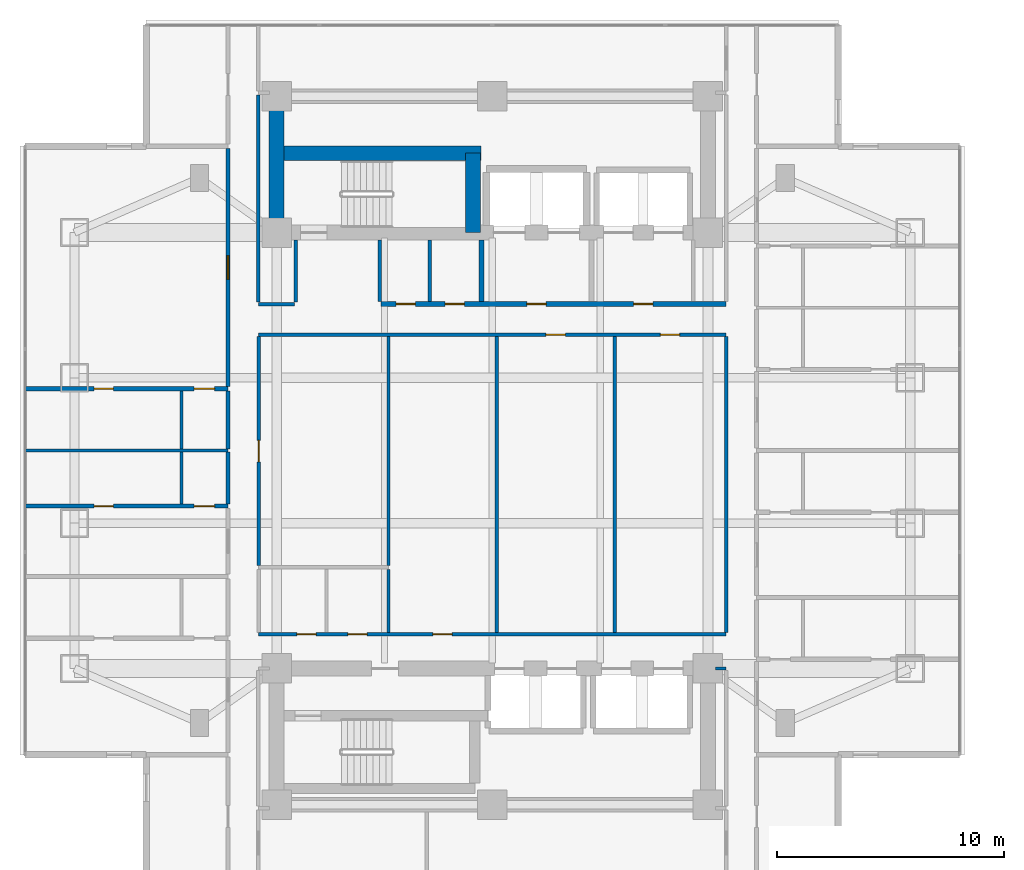
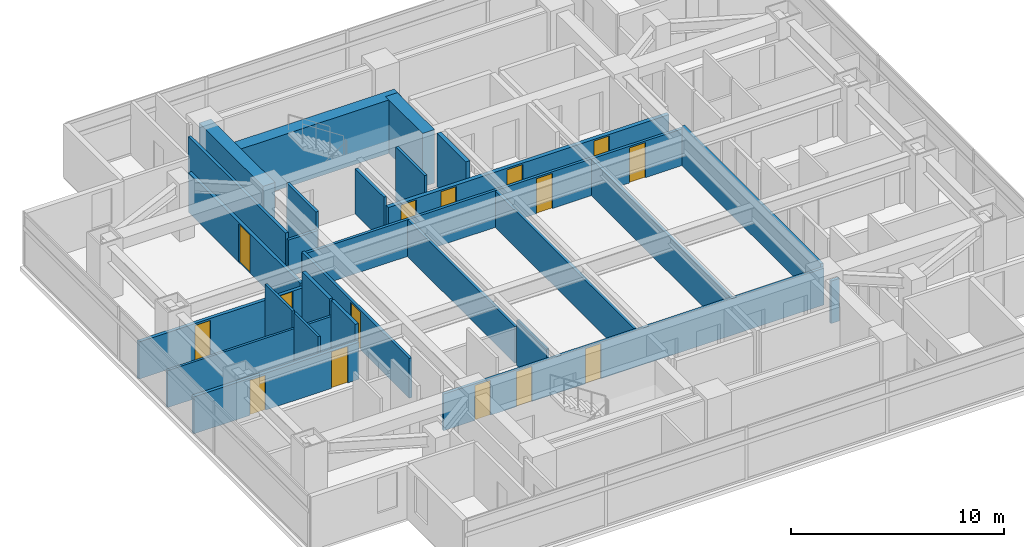
# One storey, part 15 of 27: 27 walls, 15 doors, 15 openings.
"""IFC4 building model written with IfcOpenShell, lengths in metres."""

from ifc_helpers import new_model, si_unit, direction, frame, frame_2d, origin, place, context, subcontext, project, spatial, rectangle, extrude, material, layer, layer_set, type_object, element, fill, save


model = new_model("IFC4")

# Units and contexts
model_context = context("Model", 3, precision=1e-05, world=origin(), true_north=direction((0.0, 1.0)))
body_context = subcontext(model_context, "Body", "Model", "MODEL_VIEW")
ifc_project = project(units=[si_unit("LENGTHUNIT", "METRE"), si_unit("AREAUNIT", "SQUARE_METRE"), si_unit("VOLUMEUNIT", "CUBIC_METRE"), si_unit("PLANEANGLEUNIT", "RADIAN"), si_unit("MASSUNIT", "GRAM", prefix="KILO")], contexts=[model_context])

# Site, building, storey
site_placement = place(None, origin())
site = spatial("IfcSite", under=ifc_project, at=site_placement, CompositionType="ELEMENT")
building_placement = place(site_placement, origin())
building = spatial("IfcBuilding", under=site, at=building_placement, Name="Mirazonda Arch Towers", CompositionType="ELEMENT")
storey_placement = place(building_placement, frame((0.0, 0.0, 52.10009765625)))
storey = spatial("IfcBuildingStorey", under=building, at=storey_placement, Name="L14", CompositionType="ELEMENT", Elevation=52.10009765625)

# Walls
ifc_material_1 = material(Name="Concrete C60/75", Category="concrete")
ifc_layer_1 = layer(ifc_material_1, 0.64990234375, Name="WALL-CORE-650")
ifc_layer_set_1 = layer_set([ifc_layer_1], Name="Concrete C60/75")
wall_type_1 = type_object("IfcWallType", Name="WALL-CORE-650", PredefinedType="SHEAR", material=ifc_layer_set_1)
wall_1_placement = place(storey_placement, frame((11.0, 37.60009765625, 0.0), z_axis=(0.0, 0.0, 1.0), x_axis=(0.0, 1.0, 0.0)))
element("IfcWall", 1, at=wall_1_placement, inside=storey, type_object=wall_type_1, Name="L14 T1N-W Core Shear Wall", PredefinedType="SHEAR", context=body_context, shape_type="SweptSolid", body=[
    extrude(rectangle(XDim=6.0, YDim=0.64990234375, at=frame_2d((3.0, 0.0))), origin(), (0.0, 0.0, 1.0), 3.059814453125),
])
wall_2_placement = place(storey_placement, frame((11.0, 41.093017578125, 0.0), z_axis=(0.0, 0.0, 1.0), x_axis=(1.0, 0.0, 0.0)))
element("IfcWall", 2, at=wall_2_placement, inside=storey, type_object=wall_type_1, Name="L14 T1N-STN Core Shear Wall", PredefinedType="SHEAR", context=body_context, shape_type="SweptSolid", body=[
    extrude(rectangle(XDim=9.0, YDim=0.64990234375, at=frame_2d((4.5, 0.0))), origin(), (0.0, 0.0, 1.0), 3.059814453125),
])
wall_3_placement = place(storey_placement, frame((19.64990234375, 37.60009765625, 0.0), z_axis=(0.0, 0.0, 1.0), x_axis=(0.0, 1.0, 0.0)))
element("IfcWall", 3, at=wall_3_placement, inside=storey, type_object=wall_type_1, Name="L14 T1N-STE Core Shear Wall", PredefinedType="SHEAR", context=body_context, shape_type="SweptSolid", body=[
    extrude(rectangle(XDim=3.492919921875, YDim=0.64990234375, at=frame_2d((1.74658203125, 0.0))), origin(), (0.0, 0.0, 1.0), 3.059814453125),
])

# Wall, openings, doors
ifc_material_2 = material(Name="Concrete C40/50", Category="concrete")
ifc_layer_2 = layer(ifc_material_2, 0.219970703125, Name="WALL-FFL-220")
ifc_layer_set_2 = layer_set([ifc_layer_2], Name="Concrete C40/50")
wall_type_2 = type_object("IfcWallType", Name="WALL-FFL-220", PredefinedType="SOLIDWALL", material=ifc_layer_set_2)
wall_4_placement = place(storey_placement, frame((15.590087890625, 34.449951171875, 0.0), z_axis=(0.0, 0.0, 1.0), x_axis=(1.0, 0.0, 0.0)))
wall_4 = element("IfcWall", 4, at=wall_4_placement, inside=storey, type_object=wall_type_2, Name="L14 Interior Partition 047", PredefinedType="SOLIDWALL", context=body_context, shape_type="SweptSolid", body=[
    extrude(rectangle(XDim=15.2099609375, YDim=0.219970703125, at=frame_2d((7.60498046875, 0.0))), origin(), (0.0, 0.0, 1.0), 2.10400390625),
])
opening_1_placement = place(wall_4_placement, frame((6.43505859375, 0.0, 0.0)))
opening_1 = element("IfcOpeningElement", 5, at=opening_1_placement, cuts=wall_4, Name="Opening DR-128", PredefinedType="OPENING", context=body_context, shape_type="SweptSolid", body=[
    extrude(rectangle(XDim=0.85009765625, YDim=2.010009765625, at=frame_2d((0.425048828125, 1.0048828125))), frame((0.0, 0.119873046875, 0.0), z_axis=(0.0, -1.0, 0.0), x_axis=(1.0, 0.0, 0.0)), (0.0, 0.0, 1.0), 0.239990234375),
])
opening_2_placement = place(wall_4_placement, frame((11.135009765625, 0.0, 0.0)))
opening_2 = element("IfcOpeningElement", 6, at=opening_2_placement, cuts=wall_4, Name="Opening DR-128", PredefinedType="OPENING", context=body_context, shape_type="SweptSolid", body=[
    extrude(rectangle(XDim=0.85009765625, YDim=2.010009765625, at=frame_2d((0.425048828125, 1.0048828125))), frame((0.0, 0.119873046875, 0.0), z_axis=(0.0, -1.0, 0.0), x_axis=(1.0, 0.0, 0.0)), (0.0, 0.0, 1.0), 0.239990234375),
])
opening_3_placement = place(wall_4_placement, frame((0.675048828125, 0.0, 0.0)))
opening_3 = element("IfcOpeningElement", 7, at=opening_3_placement, cuts=wall_4, Name="Opening DR-128", PredefinedType="OPENING", context=body_context, shape_type="SweptSolid", body=[
    extrude(rectangle(XDim=0.85009765625, YDim=2.010009765625, at=frame_2d((0.425048828125, 1.0048828125))), frame((0.0, 0.119873046875, 0.0), z_axis=(0.0, -1.0, 0.0), x_axis=(1.0, 0.0, 0.0)), (0.0, 0.0, 1.0), 0.239990234375),
])
opening_4_placement = place(wall_4_placement, frame((2.8349609375, 0.0, 0.0)))
opening_4 = element("IfcOpeningElement", 8, at=opening_4_placement, cuts=wall_4, Name="Opening DR-128", PredefinedType="OPENING", context=body_context, shape_type="SweptSolid", body=[
    extrude(rectangle(XDim=0.85009765625, YDim=2.010009765625, at=frame_2d((0.425048828125, 1.0048828125))), frame((0.0, 0.119873046875, 0.0), z_axis=(0.0, -1.0, 0.0), x_axis=(1.0, 0.0, 0.0)), (0.0, 0.0, 1.0), 0.239990234375),
])
ifc_material_3 = material(Name="Architectural Brushed Steel S355", Category="steel")
door_type_1 = type_object("IfcDoorType", Name="DOOR-RISER-FD60-850", OperationType="NOTDEFINED", PredefinedType="DOOR", material=ifc_material_3)
door_1_placement = place(opening_1_placement, origin())
door_1 = element("IfcDoor", 9, at=door_1_placement, inside=storey, type_object=door_type_1, Name="L14 Firefighting Lift Lobby Door", OperationType="SINGLE_SWING_RIGHT", OverallHeight=2.010009765625, OverallWidth=0.85009765625, PredefinedType="DOOR", context=body_context, shape_type="SweptSolid", body=[
    extrude(rectangle(XDim=0.85009765625, YDim=2.010009765625, at=frame_2d((0.425048828125, 1.0048828125))), frame((0.0, 0.02490234375, 0.0), z_axis=(0.0, -1.0, 0.0), x_axis=(1.0, 0.0, 0.0)), (0.0, 0.0, 1.0), 0.050048828125),
])
fill(opening_1, door_1)
door_2_placement = place(opening_2_placement, origin())
door_2 = element("IfcDoor", 10, at=door_2_placement, inside=storey, type_object=door_type_1, Name="L14 Passenger Lift Lobby North Door", OperationType="SINGLE_SWING_LEFT", OverallHeight=2.010009765625, OverallWidth=0.85009765625, PredefinedType="DOOR", context=body_context, shape_type="SweptSolid", body=[
    extrude(rectangle(XDim=0.85009765625, YDim=2.010009765625, at=frame_2d((0.425048828125, 1.0048828125))), frame((0.0, 0.02490234375, 0.0), z_axis=(0.0, -1.0, 0.0), x_axis=(1.0, 0.0, 0.0)), (0.0, 0.0, 1.0), 0.050048828125),
])
fill(opening_2, door_2)
door_3_placement = place(opening_3_placement, origin())
door_3 = element("IfcDoor", 11, at=door_3_placement, inside=storey, type_object=door_type_1, Name="L14 Electrical Room Door", OperationType="SINGLE_SWING_RIGHT", OverallHeight=2.010009765625, OverallWidth=0.85009765625, PredefinedType="DOOR", context=body_context, shape_type="SweptSolid", body=[
    extrude(rectangle(XDim=0.85009765625, YDim=2.010009765625, at=frame_2d((0.425048828125, 1.0048828125))), frame((0.0, 0.02490234375, 0.0), z_axis=(0.0, -1.0, 0.0), x_axis=(1.0, 0.0, 0.0)), (0.0, 0.0, 1.0), 0.050048828125),
])
fill(opening_3, door_3)
door_4_placement = place(opening_4_placement, origin())
door_4 = element("IfcDoor", 12, at=door_4_placement, inside=storey, type_object=door_type_1, Name="L14 Cleaners & Housekeeping Store Door", OperationType="SINGLE_SWING_LEFT", OverallHeight=2.010009765625, OverallWidth=0.85009765625, PredefinedType="DOOR", context=body_context, shape_type="SweptSolid", body=[
    extrude(rectangle(XDim=0.85009765625, YDim=2.010009765625, at=frame_2d((0.425048828125, 1.0048828125))), frame((0.0, 0.02490234375, 0.0), z_axis=(0.0, -1.0, 0.0), x_axis=(1.0, 0.0, 0.0)), (0.0, 0.0, 1.0), 0.050048828125),
])
fill(opening_4, door_4)

# Walls
wall_5_placement = place(storey_placement, frame((20.02490234375, 34.570068359375, 0.0), z_axis=(0.0, 0.0, 1.0), x_axis=(0.0, 1.0, 0.0)))
element("IfcWall", 13, at=wall_5_placement, inside=storey, type_object=wall_type_2, Name="L14 Interior Partition 088", PredefinedType="SOLIDWALL", context=body_context, shape_type="SweptSolid", body=[
    extrude(rectangle(XDim=2.7099609375, YDim=0.219970703125, at=frame_2d((1.35498046875, 0.0))), origin(), (0.0, 0.0, 1.0), 3.059814453125),
])
ifc_material_4 = material(Name="Fire-Rated Gypsum Stud Partition")
ifc_layer_3 = layer(ifc_material_4, 0.14990234375, Name="WALL-PART-CORR-150")
ifc_layer_set_3 = layer_set([ifc_layer_3], Name="Fire-Rated Gypsum Stud Partition")
wall_type_3 = type_object("IfcWallType", Name="WALL-PART-CORR-150", PredefinedType="PARTITIONING", material=ifc_layer_set_3)
wall_6_placement = place(storey_placement, frame((30.320068359375, 18.39990234375, 0.0), z_axis=(0.0, 0.0, 1.0), x_axis=(1.0, 0.0, 0.0)))
element("IfcWall", 14, at=wall_6_placement, inside=storey, type_object=wall_type_3, Name="L14 Interior Partition 013", PredefinedType="PARTITIONING", context=body_context, shape_type="SweptSolid", body=[
    extrude(rectangle(XDim=0.47998046875, YDim=0.14990234375, at=frame_2d((0.239990234375, 0.0))), origin(), (0.0, 0.0, 1.0), 2.435791015625),
])

# Wall, openings, doors
wall_7_placement = place(storey_placement, frame((10.199951171875, 19.89990234375, 0.0), z_axis=(0.0, 0.0, 1.0), x_axis=(1.0, 0.0, 0.0)))
wall_7 = element("IfcWall", 15, at=wall_7_placement, inside=storey, type_object=wall_type_3, Name="L14 Interior Partition 017", PredefinedType="PARTITIONING", context=body_context, shape_type="SweptSolid", body=[
    extrude(rectangle(XDim=20.60009765625, YDim=0.14990234375, at=frame_2d((10.300048828125, 0.0))), origin(), (0.0, 0.0, 1.0), 2.10400390625),
])
opening_5_placement = place(wall_7_placement, frame((1.695068359375, 0.0, 0.0)))
opening_5 = element("IfcOpeningElement", 16, at=opening_5_placement, cuts=wall_7, Name="Opening DR-128", PredefinedType="OPENING", context=body_context, shape_type="SweptSolid", body=[
    extrude(rectangle(XDim=0.85009765625, YDim=2.010009765625, at=frame_2d((0.425048828125, 1.0048828125))), frame((0.0, 0.0849609375, 0.0), z_axis=(0.0, -1.0, 0.0), x_axis=(1.0, 0.0, 0.0)), (0.0, 0.0, 1.0), 0.169921875),
])
opening_6_placement = place(wall_7_placement, frame((3.93994140625, 0.0, 0.0)))
opening_6 = element("IfcOpeningElement", 17, at=opening_6_placement, cuts=wall_7, Name="Opening DR-128", PredefinedType="OPENING", context=body_context, shape_type="SweptSolid", body=[
    extrude(rectangle(XDim=0.85009765625, YDim=2.010009765625, at=frame_2d((0.425048828125, 1.0048828125))), frame((0.0, 0.0849609375, 0.0), z_axis=(0.0, -1.0, 0.0), x_axis=(1.0, 0.0, 0.0)), (0.0, 0.0, 1.0), 0.169921875),
])
opening_7_placement = place(wall_7_placement, frame((7.68408203125, 0.0, 0.0)))
opening_7 = element("IfcOpeningElement", 18, at=opening_7_placement, cuts=wall_7, Name="Opening DR-128", PredefinedType="OPENING", context=body_context, shape_type="SweptSolid", body=[
    extrude(rectangle(XDim=0.85009765625, YDim=2.010009765625, at=frame_2d((0.425048828125, 1.0048828125))), frame((0.0, 0.0849609375, 0.0), z_axis=(0.0, -1.0, 0.0), x_axis=(1.0, 0.0, 0.0)), (0.0, 0.0, 1.0), 0.169921875),
])
door_5_placement = place(opening_5_placement, origin())
door_5 = element("IfcDoor", 19, at=door_5_placement, inside=storey, type_object=door_type_1, Name="L14 Common Accessible WC Door", OperationType="SINGLE_SWING_RIGHT", OverallHeight=2.010009765625, OverallWidth=0.85009765625, PredefinedType="DOOR", context=body_context, shape_type="SweptSolid", body=[
    extrude(rectangle(XDim=0.85009765625, YDim=2.010009765625, at=frame_2d((0.425048828125, 1.0048828125))), frame((0.0, 0.02490234375, 0.0), z_axis=(0.0, -1.0, 0.0), x_axis=(1.0, 0.0, 0.0)), (0.0, 0.0, 1.0), 0.050048828125),
])
fill(opening_5, door_5)
door_6_placement = place(opening_6_placement, origin())
door_6 = element("IfcDoor", 20, at=door_6_placement, inside=storey, type_object=door_type_1, Name="L14 L14 West Courtyard Study Door", OperationType="SINGLE_SWING_RIGHT", OverallHeight=2.010009765625, OverallWidth=0.85009765625, PredefinedType="DOOR", context=body_context, shape_type="SweptSolid", body=[
    extrude(rectangle(XDim=0.85009765625, YDim=2.010009765625, at=frame_2d((0.425048828125, 1.0048828125))), frame((0.0, 0.02490234375, 0.0), z_axis=(0.0, -1.0, 0.0), x_axis=(1.0, 0.0, 0.0)), (0.0, 0.0, 1.0), 0.050048828125),
])
fill(opening_6, door_6)
door_7_placement = place(opening_7_placement, origin())
door_7 = element("IfcDoor", 21, at=door_7_placement, inside=storey, type_object=door_type_1, Name="L14 Executive Club Lounge Door", OperationType="SINGLE_SWING_RIGHT", OverallHeight=2.010009765625, OverallWidth=0.85009765625, PredefinedType="DOOR", context=body_context, shape_type="SweptSolid", body=[
    extrude(rectangle(XDim=0.85009765625, YDim=2.010009765625, at=frame_2d((0.425048828125, 1.0048828125))), frame((0.0, 0.02490234375, 0.0), z_axis=(0.0, -1.0, 0.0), x_axis=(1.0, 0.0, 0.0)), (0.0, 0.0, 1.0), 0.050048828125),
])
fill(opening_7, door_7)

wall_8_placement = place(storey_placement, frame((10.199951171875, 33.10009765625, 0.0), z_axis=(0.0, 0.0, 1.0), x_axis=(1.0, 0.0, 0.0)))
wall_8 = element("IfcWall", 22, at=wall_8_placement, inside=storey, type_object=wall_type_3, Name="L14 Interior Partition 044", PredefinedType="PARTITIONING", context=body_context, shape_type="SweptSolid", body=[
    extrude(rectangle(XDim=20.60009765625, YDim=0.14990234375, at=frame_2d((10.300048828125, 0.0))), origin(), (0.0, 0.0, 1.0), 2.10400390625),
])
opening_8_placement = place(wall_8_placement, frame((12.66552734375, 0.0, 0.0)))
opening_8 = element("IfcOpeningElement", 23, at=opening_8_placement, cuts=wall_8, Name="Opening DR-128", PredefinedType="OPENING", context=body_context, shape_type="SweptSolid", body=[
    extrude(rectangle(XDim=0.85009765625, YDim=2.010009765625, at=frame_2d((0.425048828125, 1.0048828125))), frame((0.0, 0.0849609375, 0.0), z_axis=(0.0, -1.0, 0.0), x_axis=(1.0, 0.0, 0.0)), (0.0, 0.0, 1.0), 0.169921875),
])
opening_9_placement = place(wall_8_placement, frame((17.701416015625, 0.0, 0.0)))
opening_9 = element("IfcOpeningElement", 24, at=opening_9_placement, cuts=wall_8, Name="Opening DR-128", PredefinedType="OPENING", context=body_context, shape_type="SweptSolid", body=[
    extrude(rectangle(XDim=0.85009765625, YDim=2.010009765625, at=frame_2d((0.425048828125, 1.0048828125))), frame((0.0, 0.0849609375, 0.0), z_axis=(0.0, -1.0, 0.0), x_axis=(1.0, 0.0, 0.0)), (0.0, 0.0, 1.0), 0.169921875),
])
door_8_placement = place(opening_8_placement, origin())
door_8 = element("IfcDoor", 25, at=door_8_placement, inside=storey, type_object=door_type_1, Name="L14 Concierge Salon Door", OperationType="SINGLE_SWING_LEFT", OverallHeight=2.010009765625, OverallWidth=0.85009765625, PredefinedType="DOOR", context=body_context, shape_type="SweptSolid", body=[
    extrude(rectangle(XDim=0.85009765625, YDim=2.010009765625, at=frame_2d((0.425048828125, 1.0048828125))), frame((0.0, 0.02490234375, 0.0), z_axis=(0.0, -1.0, 0.0), x_axis=(1.0, 0.0, 0.0)), (0.0, 0.0, 1.0), 0.050048828125),
])
fill(opening_8, door_8)
door_9_placement = place(opening_9_placement, origin())
door_9 = element("IfcDoor", 26, at=door_9_placement, inside=storey, type_object=door_type_1, Name="L14 Private Meeting Suite Door", OperationType="SINGLE_SWING_RIGHT", OverallHeight=2.010009765625, OverallWidth=0.85009765625, PredefinedType="DOOR", context=body_context, shape_type="SweptSolid", body=[
    extrude(rectangle(XDim=0.85009765625, YDim=2.010009765625, at=frame_2d((0.425048828125, 1.0048828125))), frame((0.0, 0.02490234375, 0.0), z_axis=(0.0, -1.0, 0.0), x_axis=(1.0, 0.0, 0.0)), (0.0, 0.0, 1.0), 0.050048828125),
])
fill(opening_9, door_9)

# Wall
wall_9_placement = place(storey_placement, frame((10.199951171875, 34.449951171875, 0.0), z_axis=(0.0, 0.0, 1.0), x_axis=(1.0, 0.0, 0.0)))
element("IfcWall", 27, at=wall_9_placement, inside=storey, type_object=wall_type_3, Name="L14 Interior Partition 046", PredefinedType="PARTITIONING", context=body_context, shape_type="SweptSolid", body=[
    extrude(rectangle(XDim=1.60009765625, YDim=0.14990234375, at=frame_2d((0.800048828125, 0.0))), origin(), (0.0, 0.0, 1.0), 2.10400390625),
])

# Wall, opening, door
wall_10_placement = place(storey_placement, frame((10.206787109375, 22.93505859375, 0.0), z_axis=(0.0, 0.0, 1.0), x_axis=(0.0, 1.0, 0.0)))
wall_10 = element("IfcWall", 28, at=wall_10_placement, inside=storey, type_object=wall_type_3, Name="L14 Interior Partition 077", PredefinedType="PARTITIONING", context=body_context, shape_type="SweptSolid", body=[
    extrude(rectangle(XDim=10.079833984375, YDim=0.14990234375, at=frame_2d((5.0400390625, 0.0))), origin(), (0.0, 0.0, 1.0), 2.27880859375),
])
opening_10_placement = place(wall_10_placement, frame((4.56494140625, 0.0, 0.0)))
opening_10 = element("IfcOpeningElement", 29, at=opening_10_placement, cuts=wall_10, Name="Opening DR-104", PredefinedType="OPENING", context=body_context, shape_type="SweptSolid", body=[
    extrude(rectangle(XDim=0.949951171875, YDim=2.14990234375, at=frame_2d((0.47509765625, 1.074951171875))), frame((0.0, 0.0849609375, 0.0), z_axis=(0.0, -1.0, 0.0), x_axis=(1.0, 0.0, 0.0)), (0.0, 0.0, 1.0), 0.169921875),
])
door_type_2 = type_object("IfcDoorType", Name="DOOR-ROOM-950", OperationType="NOTDEFINED", PredefinedType="DOOR", material=ifc_material_3)
door_10_placement = place(opening_10_placement, origin())
door_10 = element("IfcDoor", 30, at=door_10_placement, inside=storey, type_object=door_type_2, Name="L14 L14 West Courtyard Salon Door", OperationType="SINGLE_SWING_LEFT", OverallHeight=2.14990234375, OverallWidth=0.949951171875, PredefinedType="DOOR", context=body_context, shape_type="SweptSolid", body=[
    extrude(rectangle(XDim=0.949951171875, YDim=2.14990234375, at=frame_2d((0.47509765625, 1.074951171875))), frame((0.0, 0.02490234375, 0.0), z_axis=(0.0, -1.0, 0.0), x_axis=(1.0, 0.0, 0.0)), (0.0, 0.0, 1.0), 0.050048828125),
])
fill(opening_10, door_10)

# Walls
wall_11_placement = place(storey_placement, frame((10.199951171875, 34.534912109375, 0.0), z_axis=(0.0, 0.0, 1.0), x_axis=(0.0, 1.0, 0.0)))
element("IfcWall", 31, at=wall_11_placement, inside=storey, type_object=wall_type_3, Name="L14 Interior Partition 078", PredefinedType="PARTITIONING", context=body_context, shape_type="SweptSolid", body=[
    extrude(rectangle(XDim=9.130126953125, YDim=0.14990234375, at=frame_2d((4.56494140625, 0.0))), origin(), (0.0, 0.0, 1.0), 2.435791015625),
])
wall_12_placement = place(storey_placement, frame((11.85009765625, 34.534912109375, 0.0), z_axis=(0.0, 0.0, 1.0), x_axis=(0.0, 1.0, 0.0)))
element("IfcWall", 32, at=wall_12_placement, inside=storey, type_object=wall_type_3, Name="L14 Interior Partition 080", PredefinedType="PARTITIONING", context=body_context, shape_type="SweptSolid", body=[
    extrude(rectangle(XDim=2.7451171875, YDim=0.14990234375, at=frame_2d((1.37255859375, 0.0))), origin(), (0.0, 0.0, 1.0), 3.059814453125),
])
wall_13_placement = place(storey_placement, frame((15.550048828125, 34.570068359375, 0.0), z_axis=(0.0, 0.0, 1.0), x_axis=(0.0, 1.0, 0.0)))
element("IfcWall", 33, at=wall_13_placement, inside=storey, type_object=wall_type_3, Name="L14 Interior Partition 082", PredefinedType="PARTITIONING", context=body_context, shape_type="SweptSolid", body=[
    extrude(rectangle(XDim=2.7099609375, YDim=0.14990234375, at=frame_2d((1.35498046875, 0.0))), origin(), (0.0, 0.0, 1.0), 2.5888671875),
])
wall_14_placement = place(storey_placement, frame((15.929931640625, 19.985107421875, 0.0), z_axis=(0.0, 0.0, 1.0), x_axis=(0.0, 1.0, 0.0)))
element("IfcWall", 34, at=wall_14_placement, inside=storey, type_object=wall_type_3, Name="L14 Interior Partition 083", PredefinedType="PARTITIONING", context=body_context, shape_type="SweptSolid", body=[
    extrude(rectangle(XDim=2.77978515625, YDim=0.14990234375, at=frame_2d((1.389892578125, 0.0))), origin(), (0.0, 0.0, 1.0), 2.5888671875),
])
wall_15_placement = place(storey_placement, frame((15.929931640625, 22.93505859375, 0.0), z_axis=(0.0, 0.0, 1.0), x_axis=(0.0, 1.0, 0.0)))
element("IfcWall", 35, at=wall_15_placement, inside=storey, type_object=wall_type_3, Name="L14 Interior Partition 084", PredefinedType="PARTITIONING", context=body_context, shape_type="SweptSolid", body=[
    extrude(rectangle(XDim=10.079833984375, YDim=0.14990234375, at=frame_2d((5.0400390625, 0.0))), origin(), (0.0, 0.0, 1.0), 2.10400390625),
])
wall_16_placement = place(storey_placement, frame((17.75, 34.570068359375, 0.0), z_axis=(0.0, 0.0, 1.0), x_axis=(0.0, 1.0, 0.0)))
element("IfcWall", 36, at=wall_16_placement, inside=storey, type_object=wall_type_3, Name="L14 Interior Partition 086", PredefinedType="PARTITIONING", context=body_context, shape_type="SweptSolid", body=[
    extrude(rectangle(XDim=2.7099609375, YDim=0.14990234375, at=frame_2d((1.35498046875, 0.0))), origin(), (0.0, 0.0, 1.0), 3.059814453125),
])
for number, where, z_axis, x_axis, name in (
    (37, (20.68798828125, 19.985107421875, 0.0), (0.0, 0.0, 1.0), (0.0, 1.0, 0.0), "L14 Interior Partition 092"),
    (38, (25.89306640625, 19.985107421875, 0.0), (0.0, 0.0, 1.0), (0.0, 1.0, 0.0), "L14 Interior Partition 098"),
):
    element("IfcWall", number, at=place(storey_placement, frame(where, z_axis=z_axis, x_axis=x_axis)), inside=storey, type_object=wall_type_3, Name=name, PredefinedType="PARTITIONING", context=body_context, shape_type="SweptSolid", body=[
        extrude(rectangle(XDim=13.02978515625, YDim=0.14990234375, at=frame_2d((6.514892578125, 0.0))), origin(), (0.0, 0.0, 1.0), 2.10400390625),
    ])
wall_17_placement = place(storey_placement, frame((30.800048828125, 19.985107421875, 0.0), z_axis=(0.0, 0.0, 1.0), x_axis=(0.0, 1.0, 0.0)))
element("IfcWall", 39, at=wall_17_placement, inside=storey, type_object=wall_type_3, Name="L14 Interior Partition 104", PredefinedType="PARTITIONING", context=body_context, shape_type="SweptSolid", body=[
    extrude(rectangle(XDim=13.02978515625, YDim=0.14990234375, at=frame_2d((6.514892578125, 0.0))), origin(), (0.0, 0.0, 1.0), 2.27880859375),
])

# Wall, openings, doors
ifc_material_5 = material(Name="Fire-Rated Gypsum Twin-Stud Assembly")
ifc_layer_4 = layer(ifc_material_5, 0.179931640625, Name="WALL-PART-DEMISE-180")
ifc_layer_set_4 = layer_set([ifc_layer_4], Name="Fire-Rated Gypsum Twin-Stud Assembly")
wall_type_4 = type_object("IfcWallType", Name="WALL-PART-DEMISE-180", PredefinedType="PARTITIONING", material=ifc_layer_set_4)
wall_18_placement = place(storey_placement, frame((-0.080078125, 25.552001953125, 0.0), z_axis=(0.0, 0.0, 1.0), x_axis=(1.0, 0.0, 0.0)))
wall_18 = element("IfcWall", 40, at=wall_18_placement, inside=storey, type_object=wall_type_4, Name="L14 Interior Partition 029", PredefinedType="PARTITIONING", context=body_context, shape_type="SweptSolid", body=[
    extrude(rectangle(XDim=8.940185546875, YDim=0.179931640625, at=frame_2d((4.47021484375, 0.0))), origin(), (0.0, 0.0, 1.0), 2.125),
])
opening_11_placement = place(wall_18_placement, frame((3.044921875, 0.0, 0.0)))
opening_11 = element("IfcOpeningElement", 41, at=opening_11_placement, cuts=wall_18, Name="Opening DR-128", PredefinedType="OPENING", context=body_context, shape_type="SweptSolid", body=[
    extrude(rectangle(XDim=0.85009765625, YDim=2.010009765625, at=frame_2d((0.425048828125, 1.0048828125))), frame((0.0, 0.099853515625, 0.0), z_axis=(0.0, -1.0, 0.0), x_axis=(1.0, 0.0, 0.0)), (0.0, 0.0, 1.0), 0.199951171875),
])
opening_12_placement = place(wall_18_placement, frame((7.449951171875, 0.0, 0.0)))
opening_12 = element("IfcOpeningElement", 42, at=opening_12_placement, cuts=wall_18, Name="Opening DR-120", PredefinedType="OPENING", context=body_context, shape_type="SweptSolid", body=[
    extrude(rectangle(XDim=0.89990234375, YDim=2.10009765625, at=frame_2d((0.449951171875, 1.050048828125))), frame((0.0, 0.099853515625, 0.0), z_axis=(0.0, -1.0, 0.0), x_axis=(1.0, 0.0, 0.0)), (0.0, 0.0, 1.0), 0.199951171875),
])
door_11_placement = place(opening_11_placement, origin())
door_11 = element("IfcDoor", 43, at=door_11_placement, inside=storey, type_object=door_type_1, Name="L14 Guestroom Study 2 Door", OperationType="SINGLE_SWING_LEFT", OverallHeight=2.010009765625, OverallWidth=0.85009765625, PredefinedType="DOOR", context=body_context, shape_type="SweptSolid", body=[
    extrude(rectangle(XDim=0.85009765625, YDim=2.010009765625, at=frame_2d((0.425048828125, 1.0048828125))), frame((0.0, 0.02490234375, 0.0), z_axis=(0.0, -1.0, 0.0), x_axis=(1.0, 0.0, 0.0)), (0.0, 0.0, 1.0), 0.050048828125),
])
fill(opening_11, door_11)
door_type_3 = type_object("IfcDoorType", Name="DOOR-WC-900", OperationType="NOTDEFINED", PredefinedType="DOOR", material=ifc_material_3)
door_12_placement = place(opening_12_placement, origin())
door_12 = element("IfcDoor", 44, at=door_12_placement, inside=storey, type_object=door_type_3, Name="L14 En-Suite Bathroom 2 Door", OperationType="SINGLE_SWING_RIGHT", OverallHeight=2.10009765625, OverallWidth=0.89990234375, PredefinedType="DOOR", context=body_context, shape_type="SweptSolid", body=[
    extrude(rectangle(XDim=0.89990234375, YDim=2.10009765625, at=frame_2d((0.449951171875, 1.050048828125))), frame((0.0, 0.02490234375, 0.0), z_axis=(0.0, -1.0, 0.0), x_axis=(1.0, 0.0, 0.0)), (0.0, 0.0, 1.0), 0.050048828125),
])
fill(opening_12, door_12)

wall_19_placement = place(storey_placement, frame((-0.080078125, 30.719970703125, 0.0), z_axis=(0.0, 0.0, 1.0), x_axis=(1.0, 0.0, 0.0)))
wall_19 = element("IfcWall", 45, at=wall_19_placement, inside=storey, type_object=wall_type_4, Name="L14 Interior Partition 039", PredefinedType="PARTITIONING", context=body_context, shape_type="SweptSolid", body=[
    extrude(rectangle(XDim=8.940185546875, YDim=0.179931640625, at=frame_2d((4.47021484375, 0.0))), origin(), (0.0, 0.0, 1.0), 2.125),
])
opening_13_placement = place(wall_19_placement, frame((3.044921875, 0.0, 0.0)))
opening_13 = element("IfcOpeningElement", 46, at=opening_13_placement, cuts=wall_19, Name="Opening DR-128", PredefinedType="OPENING", context=body_context, shape_type="SweptSolid", body=[
    extrude(rectangle(XDim=0.85009765625, YDim=2.010009765625, at=frame_2d((0.425048828125, 1.0048828125))), frame((0.0, 0.099853515625, 0.0), z_axis=(0.0, -1.0, 0.0), x_axis=(1.0, 0.0, 0.0)), (0.0, 0.0, 1.0), 0.199951171875),
])
opening_14_placement = place(wall_19_placement, frame((7.449951171875, 0.0, 0.0)))
opening_14 = element("IfcOpeningElement", 47, at=opening_14_placement, cuts=wall_19, Name="Opening DR-120", PredefinedType="OPENING", context=body_context, shape_type="SweptSolid", body=[
    extrude(rectangle(XDim=0.89990234375, YDim=2.10009765625, at=frame_2d((0.449951171875, 1.050048828125))), frame((0.0, 0.099853515625, 0.0), z_axis=(0.0, -1.0, 0.0), x_axis=(1.0, 0.0, 0.0)), (0.0, 0.0, 1.0), 0.199951171875),
])
door_13_placement = place(opening_13_placement, origin())
door_13 = element("IfcDoor", 48, at=door_13_placement, inside=storey, type_object=door_type_1, Name="L14 Suite Bedroom 3 Door", OperationType="SINGLE_SWING_RIGHT", OverallHeight=2.010009765625, OverallWidth=0.85009765625, PredefinedType="DOOR", context=body_context, shape_type="SweptSolid", body=[
    extrude(rectangle(XDim=0.85009765625, YDim=2.010009765625, at=frame_2d((0.425048828125, 1.0048828125))), frame((0.0, 0.02490234375, 0.0), z_axis=(0.0, -1.0, 0.0), x_axis=(1.0, 0.0, 0.0)), (0.0, 0.0, 1.0), 0.050048828125),
])
fill(opening_13, door_13)
door_14_placement = place(opening_14_placement, origin())
door_14 = element("IfcDoor", 49, at=door_14_placement, inside=storey, type_object=door_type_3, Name="L14 Suite En-Suite Bathroom 3 Door", OperationType="SINGLE_SWING_LEFT", OverallHeight=2.10009765625, OverallWidth=0.89990234375, PredefinedType="DOOR", context=body_context, shape_type="SweptSolid", body=[
    extrude(rectangle(XDim=0.89990234375, YDim=2.10009765625, at=frame_2d((0.449951171875, 1.050048828125))), frame((0.0, 0.02490234375, 0.0), z_axis=(0.0, -1.0, 0.0), x_axis=(1.0, 0.0, 0.0)), (0.0, 0.0, 1.0), 0.050048828125),
])
fill(opening_14, door_14)

# Walls
wall_20_placement = place(storey_placement, frame((8.860107421875, 25.652099609375, 0.0), z_axis=(0.0, 0.0, 1.0), x_axis=(0.0, 1.0, 0.0)))
element("IfcWall", 50, at=wall_20_placement, inside=storey, type_object=wall_type_4, Name="L14 Interior Partition 070", PredefinedType="PARTITIONING", context=body_context, shape_type="SweptSolid", body=[
    extrude(rectangle(XDim=2.275390625, YDim=0.179931640625, at=frame_2d((1.1376953125, 0.0))), origin(), (0.0, 0.0, 1.0), 3.059814453125),
])
wall_21_placement = place(storey_placement, frame((8.860107421875, 28.072509765625, 0.0), z_axis=(0.0, 0.0, 1.0), x_axis=(0.0, 1.0, 0.0)))
element("IfcWall", 51, at=wall_21_placement, inside=storey, type_object=wall_type_4, Name="L14 Interior Partition 071", PredefinedType="PARTITIONING", context=body_context, shape_type="SweptSolid", body=[
    extrude(rectangle(XDim=2.547607421875, YDim=0.179931640625, at=frame_2d((1.27392578125, 0.0))), origin(), (0.0, 0.0, 1.0), 3.059814453125),
])

# Wall, opening, door
wall_22_placement = place(storey_placement, frame((8.860107421875, 30.820068359375, 0.0), z_axis=(0.0, 0.0, 1.0), x_axis=(0.0, 1.0, 0.0)))
wall_22 = element("IfcWall", 52, at=wall_22_placement, inside=storey, type_object=wall_type_4, Name="L14 Interior Partition 072", PredefinedType="PARTITIONING", context=body_context, shape_type="SweptSolid", body=[
    extrude(rectangle(XDim=10.47998046875, YDim=0.179931640625, at=frame_2d((5.239990234375, 0.0))), origin(), (0.0, 0.0, 1.0), 2.27880859375),
])
opening_15_placement = place(wall_22_placement, frame((4.715087890625, 0.0, 0.0)))
opening_15 = element("IfcOpeningElement", 53, at=opening_15_placement, cuts=wall_22, Name="Opening DR-121", PredefinedType="OPENING", context=body_context, shape_type="SweptSolid", body=[
    extrude(rectangle(XDim=1.050048828125, YDim=2.199951171875, at=frame_2d((0.52490234375, 1.10009765625))), frame((0.0, 0.099853515625, 0.0), z_axis=(0.0, -1.0, 0.0), x_axis=(1.0, 0.0, 0.0)), (0.0, 0.0, 1.0), 0.199951171875),
])
door_type_4 = type_object("IfcDoorType", Name="DOOR-SUITE-FD60-1050", OperationType="NOTDEFINED", PredefinedType="DOOR", material=ifc_material_3)
door_15_placement = place(opening_15_placement, origin())
door_15 = element("IfcDoor", 54, at=door_15_placement, inside=storey, type_object=door_type_4, Name="L14 Presidential Hotel Suite 3 Door", OperationType="SINGLE_SWING_LEFT", OverallHeight=2.199951171875, OverallWidth=1.050048828125, PredefinedType="DOOR", context=body_context, shape_type="SweptSolid", body=[
    extrude(rectangle(XDim=1.050048828125, YDim=2.199951171875, at=frame_2d((0.52490234375, 1.10009765625))), frame((0.0, 0.02490234375, 0.0), z_axis=(0.0, -1.0, 0.0), x_axis=(1.0, 0.0, 0.0)), (0.0, 0.0, 1.0), 0.050048828125),
])
fill(opening_15, door_15)

# Walls
ifc_material_6 = material(Name="Acoustic Fire-Rated Gypsum Partition")
ifc_layer_5 = layer(ifc_material_6, 0.125, Name="WALL-PART-UNIT-125")
ifc_layer_set_5 = layer_set([ifc_layer_5], Name="Acoustic Fire-Rated Gypsum Partition")
wall_type_5 = type_object("IfcWallType", Name="WALL-PART-UNIT-125", PredefinedType="PARTITIONING", material=ifc_layer_set_5)
wall_23_placement = place(storey_placement, frame((-0.080078125, 28.0, 0.0), z_axis=(0.0, 0.0, 1.0), x_axis=(1.0, 0.0, 0.0)))
element("IfcWall", 55, at=wall_23_placement, inside=storey, type_object=wall_type_5, Name="L14 Interior Partition 033", PredefinedType="PARTITIONING", context=body_context, shape_type="SweptSolid", body=[
    extrude(rectangle(XDim=8.940185546875, YDim=0.125, at=frame_2d((4.47021484375, 0.0))), origin(), (0.0, 0.0, 1.0), 2.125),
])
wall_24_placement = place(storey_placement, frame((6.820068359375, 25.652099609375, 0.0), z_axis=(0.0, 0.0, 1.0), x_axis=(0.0, 1.0, 0.0)))
element("IfcWall", 56, at=wall_24_placement, inside=storey, type_object=wall_type_5, Name="L14 Interior Partition 064", PredefinedType="PARTITIONING", context=body_context, shape_type="SweptSolid", body=[
    extrude(rectangle(XDim=2.275390625, YDim=0.125, at=frame_2d((1.1376953125, 0.0))), origin(), (0.0, 0.0, 1.0), 3.059814453125),
])
wall_25_placement = place(storey_placement, frame((6.820068359375, 28.072509765625, 0.0), z_axis=(0.0, 0.0, 1.0), x_axis=(0.0, 1.0, 0.0)))
element("IfcWall", 57, at=wall_25_placement, inside=storey, type_object=wall_type_5, Name="L14 Interior Partition 065", PredefinedType="PARTITIONING", context=body_context, shape_type="SweptSolid", body=[
    extrude(rectangle(XDim=2.547607421875, YDim=0.125, at=frame_2d((1.27392578125, 0.0))), origin(), (0.0, 0.0, 1.0), 3.059814453125),
])

save(model, "model.ifc")
